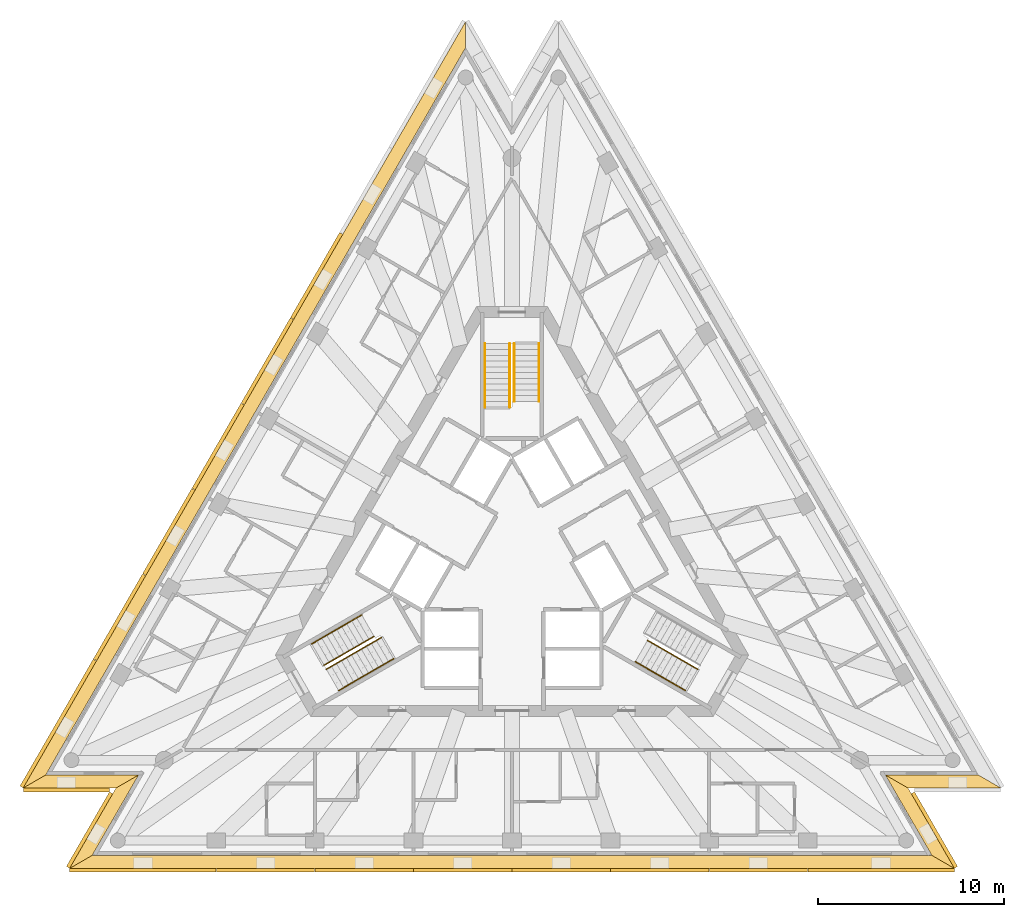
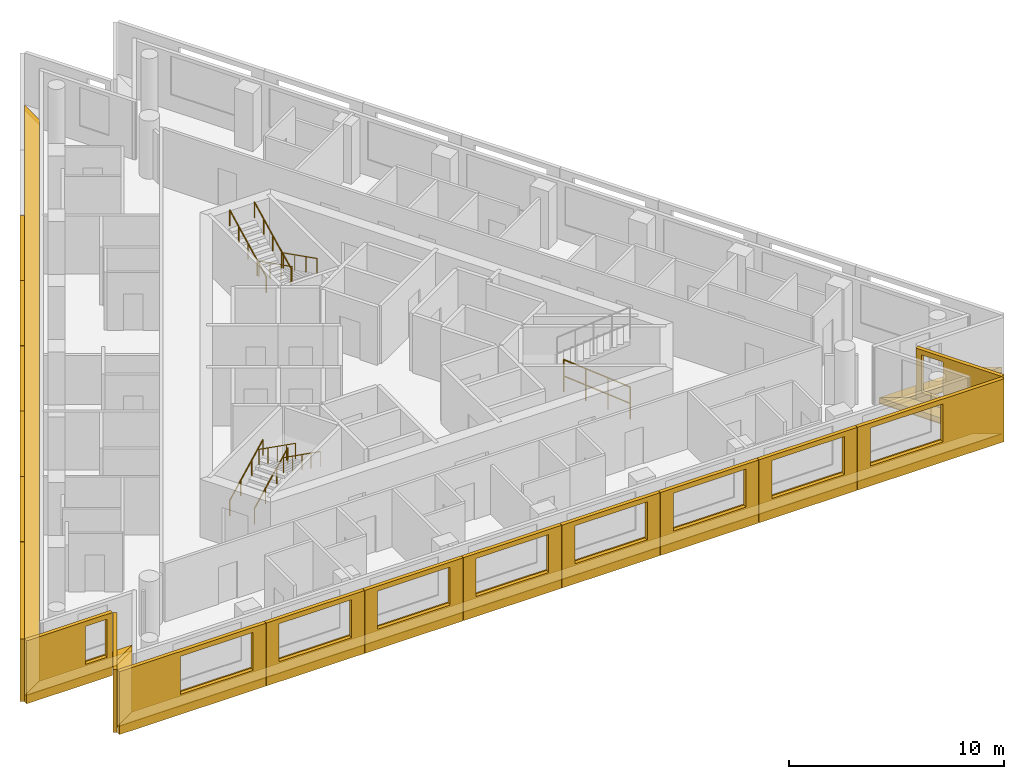
# One storey, part 10 of 11: 23 shading devices, 10 railings, 6 coverings, 3 elements without a shape of their own.
"""IFC4 building model written with IfcOpenShell, lengths in metres."""

import ifcopenshell
import ifcopenshell.guid

model = None  # the IFC model being written
_history = None  # IfcOwnerHistory: only IFC2X3 demands one
_inside = {}  # id of a spatial element -> (the spatial element, [elements in it])
_under = {}  # id of a project, library or spatial element -> (it, [spatial elements below it])
_declared = {}  # id of a project -> (the project, [libraries it declares])
_typed = {}  # id of a type object -> (the type object, [elements of that type])
_made_of = {}  # id of a material, layer set ... -> (it, [elements and type objects made of it])


def new_model(schema):
    """Start an empty IFC model of exactly this schema.

    Asked for "IFC4X3", IfcOpenShell would pick the latest addendum, in which some entities
    have other attributes; the version numbers below select the first issue.
    IFC2X3 requires an IfcOwnerHistory on every rooted entity: one is made here for all.
    """
    global model, _history
    if schema == "IFC4X3":
        model = ifcopenshell.file(schema_version=(4, 3, 0, 0))
    else:
        model = ifcopenshell.file(schema=schema)
    _inside.clear()
    _under.clear()
    _declared.clear()
    _typed.clear()
    _made_of.clear()
    _history = None
    if model.schema == "IFC2X3":
        org = make("IfcOrganization", Name="unknown")
        user = make(
            "IfcPersonAndOrganization",
            ThePerson=make("IfcPerson", FamilyName="unknown"),
            TheOrganization=org,
        )
        app = make(
            "IfcApplication",
            ApplicationDeveloper=org,
            Version="unknown",
            ApplicationFullName="unknown",
            ApplicationIdentifier="unknown",
        )
        _history = make(
            "IfcOwnerHistory",
            OwningUser=user,
            OwningApplication=app,
            ChangeAction="ADDED",
            CreationDate=0,
        )
    return model


def make(cls, **values):
    """One entity of the class cls with the attributes given. An attribute that is None is left unset."""
    return model.create_entity(
        cls, **{name: value for name, value in values.items() if value is not None}
    )


def rooted(cls, **values):
    """An entity with a GlobalId (a new one), such as an element, a storey or a relation."""
    return make(cls, GlobalId=ifcopenshell.guid.new(), OwnerHistory=_history, **values)


def si_unit(unit_type, name, prefix=None):
    """IfcSIUnit, for example si_unit("LENGTHUNIT", "METRE", prefix="MILLI")."""
    return make("IfcSIUnit", UnitType=unit_type, Prefix=prefix, Name=name)


def assignment(units):
    """IfcUnitAssignment: the units of a project."""
    return None if units is None else make("IfcUnitAssignment", Units=units)


def point(xyz):
    """IfcCartesianPoint."""
    return None if xyz is None else make("IfcCartesianPoint", Coordinates=xyz)


def direction(xyz):
    """IfcDirection."""
    return None if xyz is None else make("IfcDirection", DirectionRatios=xyz)


def frame(location, z_axis=None, x_axis=None):
    """IfcAxis2Placement3D, a coordinate frame: its origin and axes. An axis left out is left unset."""
    return make(
        "IfcAxis2Placement3D",
        Location=point(location),
        Axis=direction(z_axis),
        RefDirection=direction(x_axis),
    )


def frame_2d(location, x_axis=None):
    """IfcAxis2Placement2D, a coordinate frame in the plane: its origin and x axis."""
    return make(
        "IfcAxis2Placement2D", Location=point(location), RefDirection=direction(x_axis)
    )


def origin():
    """The frame at (0, 0, 0) with its axes left unset."""
    return frame((0.0, 0.0, 0.0))


def origin_2d():
    """The frame at (0, 0) in the plane with its x axis left unset."""
    return frame_2d((0.0, 0.0))


def place(relative_to, where):
    """IfcLocalPlacement: puts the frame where relative to a parent placement (None: the world)."""
    return make(
        "IfcLocalPlacement", PlacementRelTo=relative_to, RelativePlacement=where
    )


def context(
    kind, dimensions, precision=None, world=None, true_north=None, identifier=None
):
    """IfcGeometricRepresentationContext, for example the 3D "Model" context."""
    return make(
        "IfcGeometricRepresentationContext",
        ContextIdentifier=identifier,
        ContextType=kind,
        CoordinateSpaceDimension=dimensions,
        Precision=precision,
        WorldCoordinateSystem=world,
        TrueNorth=true_north,
    )


def subcontext(parent, identifier, kind, view, scale=None):
    """IfcGeometricRepresentationSubContext, for example "Body" below "Model"."""
    return make(
        "IfcGeometricRepresentationSubContext",
        ContextIdentifier=identifier,
        ContextType=kind,
        ParentContext=parent,
        TargetScale=scale,
        TargetView=view,
    )


def project(units=None, contexts=None):
    """IfcProject with its units and contexts."""
    return rooted(
        "IfcProject",
        Name="project",
        RepresentationContexts=contexts,
        UnitsInContext=assignment(units),
    )


def spatial(cls, under=None, at=None, **own):
    """A site, building, storey or space (cls), placed at a placement, below another one or the project."""
    s = rooted(cls, ObjectPlacement=at, **own)
    if under is not None:
        _under.setdefault(under.id(), (under, []))[1].append(s)
    return s


def polyline(points):
    """IfcPolyline through the points."""
    return make("IfcPolyline", Points=[point(p) for p in points])


def profile(cls, at=None, kind="AREA", **sizes):
    """A parametric profile (cls). Its sizes go by their IFC names, for example OverallWidth=200.0."""
    return make(cls, ProfileType=kind, Position=at, **sizes)


def circle(**sizes):
    """IfcCircleProfileDef."""
    return profile("IfcCircleProfileDef", **sizes)


def outline(outer, holes=None, kind="AREA"):
    """IfcArbitraryClosedProfileDef: a profile drawn as a closed curve; with holes, ...WithVoids."""
    if holes is None:
        return make("IfcArbitraryClosedProfileDef", ProfileType=kind, OuterCurve=outer)
    return make(
        "IfcArbitraryProfileDefWithVoids",
        ProfileType=kind,
        OuterCurve=outer,
        InnerCurves=holes,
    )


def extrude(swept, where, along, depth):
    """IfcExtrudedAreaSolid: the profile swept, set in the frame where, extruded along a direction by depth."""
    return make(
        "IfcExtrudedAreaSolid",
        SweptArea=swept,
        Position=where,
        ExtrudedDirection=direction(along),
        Depth=depth,
    )


def shape(context_of_items, identifier, shape_type, items):
    """IfcShapeRepresentation: the items that make up one representation, for example the "Body"."""
    return make(
        "IfcShapeRepresentation",
        ContextOfItems=context_of_items,
        RepresentationIdentifier=identifier,
        RepresentationType=shape_type,
        Items=items,
    )


def material(Name=None, Category=None):
    """IfcMaterial."""
    return make("IfcMaterial", Name=Name, Category=Category)


def layer(
    of_material, thickness, ventilated=None, Name=None, Category=None, Priority=None
):
    """IfcMaterialLayer: one layer of a wall or slab, of a material (None: an air gap)."""
    return make(
        "IfcMaterialLayer",
        Material=of_material,
        LayerThickness=thickness,
        IsVentilated=ventilated,
        Name=Name,
        Category=Category,
        Priority=Priority,
    )


def layer_set(layers, Name=None):
    """IfcMaterialLayerSet."""
    return make("IfcMaterialLayerSet", MaterialLayers=layers, LayerSetName=Name)


def layer_usage(for_layer_set, set_direction, sense, offset, extent=None):
    """IfcMaterialLayerSetUsage: how a layer set lies in its element."""
    return make(
        "IfcMaterialLayerSetUsage",
        ForLayerSet=for_layer_set,
        LayerSetDirection=set_direction,
        DirectionSense=sense,
        OffsetFromReferenceLine=offset,
        ReferenceExtent=extent,
    )


def made_of(thing, what):
    """Note that an element or type object is made of a material, layer set ...; save() writes the relation."""
    if what is not None:
        _made_of.setdefault(what.id(), (what, []))[1].append(thing)
    return thing


def type_object(cls, material=None, **own):
    """A type object (cls), such as IfcWallType, which elements share."""
    return made_of(rooted(cls, **own), material)


def element(
    cls,
    number,
    at=None,
    inside=None,
    cuts=None,
    type_object=None,
    material=None,
    context=None,
    identifier="Body",
    shape_type=None,
    held_by="IfcProductDefinitionShape",
    body=None,
    shapes=None,
    **own,
):
    """One element of the class cls, such as IfcWall. Its Tag is "e" and its number.

    at: its placement. inside: the storey or other place that contains it. cuts: it is an
    opening in that element (IfcRelVoidsElement). A single representation is given by context,
    identifier, shape_type and body (its items); several are given by shapes. held_by: the class
    of the entity that holds the representations. save() writes the other relations.
    """
    e = rooted(cls, Tag="e%d" % number, ObjectPlacement=at, **own)
    if body is not None:
        shapes = [shape(context, identifier, shape_type, body)]
    if shapes is not None:
        e.Representation = make(held_by, Representations=shapes)
    if inside is not None:
        _inside.setdefault(inside.id(), (inside, []))[1].append(e)
    if cuts is not None:
        rooted(
            "IfcRelVoidsElement", RelatingBuildingElement=cuts, RelatedOpeningElement=e
        )
    if type_object is not None:
        _typed.setdefault(type_object.id(), (type_object, []))[1].append(e)
    return made_of(e, material)


def aggregate(whole, parts):
    """IfcRelAggregates: a whole, such as a stair, and the parts it consists of."""
    return rooted("IfcRelAggregates", RelatingObject=whole, RelatedObjects=parts)


def save(model, path):
    """Write the relations noted so far, then the file.

    IfcRelAggregates (storeys below a building ...), IfcRelContainedInSpatialStructure (elements
    in a storey), IfcRelDefinesByType, IfcRelAssociatesMaterial and IfcRelDeclares: one each for
    every whole, place, type object, material and project.
    """
    for whole, parts in _under.values():
        aggregate(whole, parts)
    for where, things in _inside.values():
        rooted(
            "IfcRelContainedInSpatialStructure",
            RelatedElements=things,
            RelatingStructure=where,
        )
    for kind, things in _typed.values():
        rooted("IfcRelDefinesByType", RelatedObjects=things, RelatingType=kind)
    for what, things in _made_of.values():
        rooted("IfcRelAssociatesMaterial", RelatedObjects=things, RelatingMaterial=what)
    for by, libraries in _declared.values():
        rooted("IfcRelDeclares", RelatingContext=by, RelatedDefinitions=libraries)
    model.write(path)


model = new_model("IFC4")

# Units and contexts
model_context = context("Model", 3, precision=1e-05, world=origin(), true_north=direction((0.0, 1.0)))
body_context = subcontext(model_context, "Body", "Model", "MODEL_VIEW")
ifc_project = project(units=[si_unit("LENGTHUNIT", "METRE"), si_unit("AREAUNIT", "SQUARE_METRE"), si_unit("VOLUMEUNIT", "CUBIC_METRE"), si_unit("PLANEANGLEUNIT", "RADIAN"), si_unit("MASSUNIT", "GRAM", prefix="KILO")], contexts=[model_context])

# Site, building, storey
site_placement = place(None, origin())
site = spatial("IfcSite", under=ifc_project, at=site_placement, CompositionType="ELEMENT")
building_placement = place(site_placement, origin())
building = spatial("IfcBuilding", under=site, at=building_placement, Name="Triada Interchange Tower", CompositionType="ELEMENT")
storey_placement = place(building_placement, frame((0.0, 0.0, 307.89990234375)))
storey = spatial("IfcBuildingStorey", under=building, at=storey_placement, Name="L73", CompositionType="ELEMENT", Elevation=307.89990234375)

# Coverings
ifc_material_1 = material(Name="Mineral fire-stop board")
ifc_layer_1 = layer(ifc_material_1, 0.0400390625, Name="Mineral fire-stop board")
ifc_material_2 = material(Name="Intumescent sealant")
ifc_layer_2 = layer(ifc_material_2, 0.010009765625, Name="Intumescent seal")
ifc_layer_set_1 = layer_set([ifc_layer_1, ifc_layer_2], Name="Cavity fire stop")
ifc_layer_usage = layer_usage(ifc_layer_set_1, "AXIS3", "POSITIVE", 0.0)
covering_type = type_object("IfcCoveringType", Name="Cavity fire stop", PredefinedType="INSULATION", material=ifc_layer_set_1)
covering_1_placement = place(storey_placement, origin())
element("IfcCovering", 1, at=covering_1_placement, inside=storey, type_object=covering_type, material=ifc_layer_usage, Name="Cavity fire stop L73 NW", PredefinedType="INSULATION", context=body_context, shape_type="SweptSolid", body=[
    extrude(outline(polyline([(-2.498046875, 27.527099609375), (-2.498046875, 28.927001953125), (-26.300048828125, -12.300048828125), (-25.087890625, -11.60009765625), (-2.498046875, 27.527099609375)])), origin(), (0.0, 0.0, 1.0), 0.050048828125),
])
covering_2_placement = place(storey_placement, origin())
element("IfcCovering", 2, at=covering_2_placement, inside=storey, type_object=covering_type, material=ifc_layer_usage, Name="Cavity fire stop L73 SW-1", PredefinedType="INSULATION", context=body_context, shape_type="SweptSolid", body=[
    extrude(outline(polyline([(-25.087890625, -11.60009765625), (-26.300048828125, -12.300048828125), (-21.302978515625, -12.300048828125), (-20.091064453125, -11.60009765625), (-25.087890625, -11.60009765625)])), origin(), (0.0, 0.0, 1.0), 0.050048828125),
])
covering_3_placement = place(storey_placement, origin())
element("IfcCovering", 3, at=covering_3_placement, inside=storey, type_object=covering_type, material=ifc_layer_usage, Name="Cavity fire stop L73 SW-2", PredefinedType="INSULATION", context=body_context, shape_type="SweptSolid", body=[
    extrude(outline(polyline([(-20.091064453125, -11.60009765625), (-21.302978515625, -12.300048828125), (-23.802001953125, -16.626953125), (-22.590087890625, -15.927001953125), (-20.091064453125, -11.60009765625)])), origin(), (0.0, 0.0, 1.0), 0.050048828125),
])
covering_4_placement = place(storey_placement, origin())
element("IfcCovering", 4, at=covering_4_placement, inside=storey, type_object=covering_type, material=ifc_layer_usage, Name="Cavity fire stop L73 S", PredefinedType="INSULATION", context=body_context, shape_type="SweptSolid", body=[
    extrude(outline(polyline([(-22.590087890625, -15.927001953125), (-23.802001953125, -16.626953125), (23.802001953125, -16.626953125), (22.590087890625, -15.927001953125), (-22.590087890625, -15.927001953125)])), origin(), (0.0, 0.0, 1.0), 0.050048828125),
])
covering_5_placement = place(storey_placement, origin())
element("IfcCovering", 5, at=covering_5_placement, inside=storey, type_object=covering_type, material=ifc_layer_usage, Name="Cavity fire stop L73 SE-1", PredefinedType="INSULATION", context=body_context, shape_type="SweptSolid", body=[
    extrude(outline(polyline([(22.590087890625, -15.927001953125), (23.802001953125, -16.626953125), (21.302978515625, -12.300048828125), (20.091064453125, -11.60009765625), (22.590087890625, -15.927001953125)])), origin(), (0.0, 0.0, 1.0), 0.050048828125),
])
covering_6_placement = place(storey_placement, origin())
element("IfcCovering", 6, at=covering_6_placement, inside=storey, type_object=covering_type, material=ifc_layer_usage, Name="Cavity fire stop L73 SE-2", PredefinedType="INSULATION", context=body_context, shape_type="SweptSolid", body=[
    extrude(outline(polyline([(20.091064453125, -11.60009765625), (21.302978515625, -12.300048828125), (26.300048828125, -12.300048828125), (25.087890625, -11.60009765625), (20.091064453125, -11.60009765625)])), origin(), (0.0, 0.0, 1.0), 0.050048828125),
])

# Shading devices
ifc_material_3 = material(Name="Aluminium louvre", Category="aluminium")
shading_device_type_1 = type_object("IfcShadingDeviceType", Name="Cavity louvre grille", PredefinedType="JALOUSIE", material=ifc_material_3)
shading_device_1_placement = place(storey_placement, frame((0.0, 0.0, 0.050048828125)))
element("IfcShadingDevice", 7, at=shading_device_1_placement, inside=storey, type_object=shading_device_type_1, Name="Cavity louvre grille L73 NW", PredefinedType="JALOUSIE", context=body_context, shape_type="SweptSolid", body=[
    extrude(outline(polyline([(-2.498046875, 27.527099609375), (-2.498046875, 28.927001953125), (-26.300048828125, -12.300048828125), (-25.087890625, -11.60009765625), (-2.498046875, 27.527099609375)])), origin(), (0.0, 0.0, 1.0), 0.300048828125),
])
shading_device_2_placement = place(storey_placement, frame((0.0, 0.0, 0.050048828125)))
element("IfcShadingDevice", 8, at=shading_device_2_placement, inside=storey, type_object=shading_device_type_1, Name="Cavity louvre grille L73 SW-1", PredefinedType="JALOUSIE", context=body_context, shape_type="SweptSolid", body=[
    extrude(outline(polyline([(-25.087890625, -11.60009765625), (-26.300048828125, -12.300048828125), (-21.302978515625, -12.300048828125), (-20.091064453125, -11.60009765625), (-25.087890625, -11.60009765625)])), origin(), (0.0, 0.0, 1.0), 0.300048828125),
])
shading_device_3_placement = place(storey_placement, frame((0.0, 0.0, 0.050048828125)))
element("IfcShadingDevice", 9, at=shading_device_3_placement, inside=storey, type_object=shading_device_type_1, Name="Cavity louvre grille L73 SW-2", PredefinedType="JALOUSIE", context=body_context, shape_type="SweptSolid", body=[
    extrude(outline(polyline([(-20.091064453125, -11.60009765625), (-21.302978515625, -12.300048828125), (-23.802001953125, -16.626953125), (-22.590087890625, -15.927001953125), (-20.091064453125, -11.60009765625)])), origin(), (0.0, 0.0, 1.0), 0.300048828125),
])
shading_device_4_placement = place(storey_placement, frame((0.0, 0.0, 0.050048828125)))
element("IfcShadingDevice", 10, at=shading_device_4_placement, inside=storey, type_object=shading_device_type_1, Name="Cavity louvre grille L73 S", PredefinedType="JALOUSIE", context=body_context, shape_type="SweptSolid", body=[
    extrude(outline(polyline([(-22.590087890625, -15.927001953125), (-23.802001953125, -16.626953125), (23.802001953125, -16.626953125), (22.590087890625, -15.927001953125), (-22.590087890625, -15.927001953125)])), origin(), (0.0, 0.0, 1.0), 0.300048828125),
])
shading_device_5_placement = place(storey_placement, frame((0.0, 0.0, 0.050048828125)))
element("IfcShadingDevice", 11, at=shading_device_5_placement, inside=storey, type_object=shading_device_type_1, Name="Cavity louvre grille L73 SE-1", PredefinedType="JALOUSIE", context=body_context, shape_type="SweptSolid", body=[
    extrude(outline(polyline([(22.590087890625, -15.927001953125), (23.802001953125, -16.626953125), (21.302978515625, -12.300048828125), (20.091064453125, -11.60009765625), (22.590087890625, -15.927001953125)])), origin(), (0.0, 0.0, 1.0), 0.300048828125),
])
shading_device_6_placement = place(storey_placement, frame((0.0, 0.0, 0.050048828125)))
element("IfcShadingDevice", 12, at=shading_device_6_placement, inside=storey, type_object=shading_device_type_1, Name="Cavity louvre grille L73 SE-2", PredefinedType="JALOUSIE", context=body_context, shape_type="SweptSolid", body=[
    extrude(outline(polyline([(20.091064453125, -11.60009765625), (21.302978515625, -12.300048828125), (26.300048828125, -12.300048828125), (25.087890625, -11.60009765625), (20.091064453125, -11.60009765625)])), origin(), (0.0, 0.0, 1.0), 0.300048828125),
])
ifc_material_4 = material(Name="Concrete C50/60 precast", Category="concrete")
ifc_layer_3 = layer(ifc_material_4, 0.02001953125, Name="Exposed aggregate face")
ifc_layer_4 = layer(ifc_material_4, 0.179931640625, Name="Precast concrete screen")
ifc_layer_set_2 = layer_set([ifc_layer_3, ifc_layer_4], Name="Outer skin screen panel 3580")
shading_device_type_2 = type_object("IfcShadingDeviceType", Name="Outer skin screen panel 3580", PredefinedType="SHUTTER", material=ifc_layer_set_2)
shading_device_7_placement = place(storey_placement, frame((-9.10302734375, 17.487060546875, -0.289794921875), z_axis=(0.0, 0.0, 1.0), x_axis=(-0.500011881073, -0.866018544135, 0.0)))
element("IfcShadingDevice", 13, at=shading_device_7_placement, inside=storey, type_object=shading_device_type_2, Name="Outer skin screen panel L73 03", PredefinedType="SHUTTER", context=body_context, shape_type="SweptSolid", body=[
    extrude(outline(polyline([(0.0, 0.0), (5.281494140625, 0.0), (5.281494140625, 3.579833984375), (0.0, 3.579833984375), (0.0, 0.0)]), holes=[polyline([(0.6904296875, 1.139892578125), (0.6904296875, 3.300048828125), (4.59033203125, 3.300048828125), (4.59033203125, 1.139892578125), (0.6904296875, 1.139892578125)])]), frame((0.0, 0.0, 0.0), z_axis=(0.0, -1.0, 0.0), x_axis=(1.0, 0.0, 0.0)), (0.0, 0.0, 1.0), 0.199951171875),
])
shading_device_8_placement = place(storey_placement, frame((-11.75390625, 12.89599609375, -0.289794921875), z_axis=(0.0, 0.0, 1.0), x_axis=(-0.499907866474, -0.866078590566, 0.0)))
element("IfcShadingDevice", 14, at=shading_device_8_placement, inside=storey, type_object=shading_device_type_2, Name="Outer skin screen panel L73 04", PredefinedType="SHUTTER", context=body_context, shape_type="SweptSolid", body=[
    extrude(outline(polyline([(0.0, 0.0), (5.28125, 0.0), (5.28125, 3.579833984375), (0.0, 3.579833984375), (0.0, 0.0)]), holes=[polyline([(0.690185546875, 1.139892578125), (0.690185546875, 3.300048828125), (4.59033203125, 3.300048828125), (4.59033203125, 1.139892578125), (0.690185546875, 1.139892578125)])]), frame((0.0, 0.0, 0.0), z_axis=(0.0, -1.0, 0.0), x_axis=(1.0, 0.0, 0.0)), (0.0, 0.0, 1.0), 0.199951171875),
])
shading_device_9_placement = place(storey_placement, frame((-14.404052734375, 8.304931640625, -0.289794921875), z_axis=(0.0, 0.0, 1.0), x_axis=(-0.500011881073, -0.866018544135, 0.0)))
element("IfcShadingDevice", 15, at=shading_device_9_placement, inside=storey, type_object=shading_device_type_2, Name="Outer skin screen panel L73 05", PredefinedType="SHUTTER", context=body_context, shape_type="SweptSolid", body=[
    extrude(outline(polyline([(0.0, 0.0), (5.281494140625, 0.0), (5.281494140625, 3.579833984375), (0.0, 3.579833984375), (0.0, 0.0)]), holes=[polyline([(0.690185546875, 1.139892578125), (0.690185546875, 3.300048828125), (4.59033203125, 3.300048828125), (4.59033203125, 1.139892578125), (0.690185546875, 1.139892578125)])]), frame((0.0, 0.0, 0.0), z_axis=(0.0, -1.0, 0.0), x_axis=(1.0, 0.0, 0.0)), (0.0, 0.0, 1.0), 0.199951171875),
])
shading_device_10_placement = place(storey_placement, frame((-17.054931640625, 3.714111328125, -0.289794921875), z_axis=(0.0, 0.0, 1.0), x_axis=(-0.499887852359, -0.866090142574, 0.0)))
element("IfcShadingDevice", 16, at=shading_device_10_placement, inside=storey, type_object=shading_device_type_2, Name="Outer skin screen panel L73 06", PredefinedType="SHUTTER", context=body_context, shape_type="SweptSolid", body=[
    extrude(outline(polyline([(0.0, 0.0), (5.281494140625, 0.0), (5.281494140625, 3.579833984375), (0.0, 3.579833984375), (0.0, 0.0)]), holes=[polyline([(0.690185546875, 1.139892578125), (0.690185546875, 3.300048828125), (4.590087890625, 3.300048828125), (4.590087890625, 1.139892578125), (0.690185546875, 1.139892578125)])]), frame((0.0, 0.0, 0.0), z_axis=(0.0, -1.0, 0.0), x_axis=(1.0, 0.0, 0.0)), (0.0, 0.0, 1.0), 0.199951171875),
])
shading_device_11_placement = place(storey_placement, frame((-19.705078125, -0.876953125, -0.289794921875), z_axis=(0.0, 0.0, 1.0), x_axis=(-0.500091956443, -0.865972306197, 0.0)))
element("IfcShadingDevice", 17, at=shading_device_11_placement, inside=storey, type_object=shading_device_type_2, Name="Outer skin screen panel L73 07", PredefinedType="SHUTTER", context=body_context, shape_type="SweptSolid", body=[
    extrude(outline(polyline([(0.0, 0.0), (5.28076171875, 0.0), (5.28076171875, 3.579833984375), (0.0, 3.579833984375), (0.0, 0.0)]), holes=[polyline([(0.690185546875, 1.139892578125), (0.690185546875, 3.300048828125), (4.590087890625, 3.300048828125), (4.590087890625, 1.139892578125), (0.690185546875, 1.139892578125)])]), frame((0.0, 0.0, 0.0), z_axis=(0.0, -1.0, 0.0), x_axis=(1.0, 0.0, 0.0)), (0.0, 0.0, 1.0), 0.199951171875),
])
shading_device_12_placement = place(storey_placement, frame((-22.35595703125, -5.468017578125, -0.289794921875), z_axis=(0.0, 0.0, 1.0), x_axis=(-0.499971924588, -0.866041612524, 0.0)))
element("IfcShadingDevice", 18, at=shading_device_12_placement, inside=storey, type_object=shading_device_type_2, Name="Outer skin screen panel L73 08", PredefinedType="SHUTTER", context=body_context, shape_type="SweptSolid", body=[
    extrude(outline(polyline([(0.0, 0.0), (7.87841796875, 0.0), (7.87841796875, 3.579833984375), (0.0, 3.579833984375), (0.0, 0.0)]), holes=[polyline([(0.690185546875, 1.139892578125), (0.690185546875, 3.300048828125), (4.590087890625, 3.300048828125), (4.590087890625, 1.139892578125), (0.690185546875, 1.139892578125)])]), frame((0.0, 0.0, 0.0), z_axis=(0.0, -1.0, 0.0), x_axis=(1.0, 0.0, 0.0)), (0.0, 0.0, 1.0), 0.199951171875),
])
shading_device_13_placement = place(storey_placement, frame((-26.2900390625, -12.300048828125, -0.289794921875), z_axis=(0.0, 0.0, 1.0), x_axis=(1.0, 0.0, 0.0)))
element("IfcShadingDevice", 19, at=shading_device_13_placement, inside=storey, type_object=shading_device_type_2, Name="Outer skin screen panel L73 09", PredefinedType="SHUTTER", context=body_context, shape_type="SweptSolid", body=[
    extrude(outline(polyline([(0.0, 0.0), (4.630126953125, 0.0), (4.630126953125, 3.579833984375), (0.0, 3.579833984375), (0.0, 0.0)]), holes=[polyline([(3.175048828125, 1.139892578125), (3.175048828125, 3.300048828125), (4.330078125, 3.300048828125), (4.330078125, 1.139892578125), (3.175048828125, 1.139892578125)])]), frame((0.0, 0.0, 0.0), z_axis=(0.0, -1.0, 0.0), x_axis=(1.0, 0.0, 0.0)), (0.0, 0.0, 1.0), 0.199951171875),
])
shading_device_14_placement = place(storey_placement, frame((-21.48193359375, -12.60888671875, -0.289794921875), z_axis=(0.0, 0.0, 1.0), x_axis=(-0.500092201355, -0.865972164763, 0.0)))
element("IfcShadingDevice", 20, at=shading_device_14_placement, inside=storey, type_object=shading_device_type_2, Name="Outer skin screen panel L73 10", PredefinedType="SHUTTER", context=body_context, shape_type="SweptSolid", body=[
    extrude(outline(polyline([(0.0, 0.0), (4.629638671875, 0.0), (4.629638671875, 3.579833984375), (0.0, 3.579833984375), (0.0, 0.0)]), holes=[polyline([(0.300048828125, 1.139892578125), (0.300048828125, 3.300048828125), (1.2578125, 3.300048828125), (1.2578125, 1.139892578125), (0.300048828125, 1.139892578125)])]), frame((0.0, 0.0, 0.0), z_axis=(0.0, -1.0, 0.0), x_axis=(1.0, 0.0, 0.0)), (0.0, 0.0, 1.0), 0.199951171875),
])
shading_device_15_placement = place(storey_placement, frame((-23.7919921875, -16.626953125, -0.289794921875), z_axis=(0.0, 0.0, 1.0), x_axis=(1.0, 0.0, 0.0)))
element("IfcShadingDevice", 21, at=shading_device_15_placement, inside=storey, type_object=shading_device_type_2, Name="Outer skin screen panel L73 11", PredefinedType="SHUTTER", context=body_context, shape_type="SweptSolid", body=[
    extrude(outline(polyline([(0.0, 0.0), (7.87890625, 0.0), (7.87890625, 3.579833984375), (0.0, 3.579833984375), (0.0, 0.0)]), holes=[polyline([(3.2890625, 1.139892578125), (3.2890625, 3.300048828125), (7.18896484375, 3.300048828125), (7.18896484375, 1.139892578125), (3.2890625, 1.139892578125)])]), frame((0.0, 0.0, 0.0), z_axis=(0.0, -1.0, 0.0), x_axis=(1.0, 0.0, 0.0)), (0.0, 0.0, 1.0), 0.199951171875),
])
for number, where, z_axis, x_axis, name in (
    (22, (-15.89306640625, -16.626953125, -0.289794921875), (0.0, 0.0, 1.0), (1.0, 0.0, 0.0), "Outer skin screen panel L73 12"),
    (23, (-10.592041015625, -16.626953125, -0.289794921875), (0.0, 0.0, 1.0), (1.0, 0.0, 0.0), "Outer skin screen panel L73 13"),
):
    element("IfcShadingDevice", number, at=place(storey_placement, frame(where, z_axis=z_axis, x_axis=x_axis)), inside=storey, type_object=shading_device_type_2, Name=name, PredefinedType="SHUTTER", context=body_context, shape_type="SweptSolid", body=[
        extrude(outline(polyline([(0.0, 0.0), (5.281005859375, 0.0), (5.281005859375, 3.579833984375), (0.0, 3.579833984375), (0.0, 0.0)]), holes=[polyline([(0.69091796875, 1.139892578125), (0.69091796875, 3.300048828125), (4.591064453125, 3.300048828125), (4.591064453125, 1.139892578125), (0.69091796875, 1.139892578125)])]), frame((0.0, 0.0, 0.0), z_axis=(0.0, -1.0, 0.0), x_axis=(1.0, 0.0, 0.0)), (0.0, 0.0, 1.0), 0.199951171875),
    ])
shading_device_16_placement = place(storey_placement, frame((-5.291015625, -16.626953125, -0.289794921875), z_axis=(0.0, 0.0, 1.0), x_axis=(1.0, 0.0, 0.0)))
element("IfcShadingDevice", 24, at=shading_device_16_placement, inside=storey, type_object=shading_device_type_2, Name="Outer skin screen panel L73 14", PredefinedType="SHUTTER", context=body_context, shape_type="SweptSolid", body=[
    extrude(outline(polyline([(0.0, 0.0), (5.281005859375, 0.0), (5.281005859375, 3.579833984375), (0.0, 3.579833984375), (0.0, 0.0)]), holes=[polyline([(0.68994140625, 1.139892578125), (0.68994140625, 3.300048828125), (4.590087890625, 3.300048828125), (4.590087890625, 1.139892578125), (0.68994140625, 1.139892578125)])]), frame((0.0, 0.0, 0.0), z_axis=(0.0, -1.0, 0.0), x_axis=(1.0, 0.0, 0.0)), (0.0, 0.0, 1.0), 0.199951171875),
])
shading_device_17_placement = place(storey_placement, frame((0.010009765625, -16.626953125, -0.289794921875), z_axis=(0.0, 0.0, 1.0), x_axis=(1.0, 0.0, 0.0)))
element("IfcShadingDevice", 25, at=shading_device_17_placement, inside=storey, type_object=shading_device_type_2, Name="Outer skin screen panel L73 15", PredefinedType="SHUTTER", context=body_context, shape_type="SweptSolid", body=[
    extrude(outline(polyline([(0.0, 0.0), (5.281005859375, 0.0), (5.281005859375, 3.579833984375), (0.0, 3.579833984375), (0.0, 0.0)]), holes=[polyline([(0.69091796875, 1.139892578125), (0.69091796875, 3.300048828125), (4.591064453125, 3.300048828125), (4.591064453125, 1.139892578125), (0.69091796875, 1.139892578125)])]), frame((0.0, 0.0, 0.0), z_axis=(0.0, -1.0, 0.0), x_axis=(1.0, 0.0, 0.0)), (0.0, 0.0, 1.0), 0.199951171875),
])
shading_device_18_placement = place(storey_placement, frame((5.31103515625, -16.626953125, -0.289794921875), z_axis=(0.0, 0.0, 1.0), x_axis=(1.0, 0.0, 0.0)))
element("IfcShadingDevice", 26, at=shading_device_18_placement, inside=storey, type_object=shading_device_type_2, Name="Outer skin screen panel L73 16", PredefinedType="SHUTTER", context=body_context, shape_type="SweptSolid", body=[
    extrude(outline(polyline([(0.0, 0.0), (5.281005859375, 0.0), (5.281005859375, 3.579833984375), (0.0, 3.579833984375), (0.0, 0.0)]), holes=[polyline([(0.68994140625, 1.139892578125), (0.68994140625, 3.300048828125), (4.590087890625, 3.300048828125), (4.590087890625, 1.139892578125), (0.68994140625, 1.139892578125)])]), frame((0.0, 0.0, 0.0), z_axis=(0.0, -1.0, 0.0), x_axis=(1.0, 0.0, 0.0)), (0.0, 0.0, 1.0), 0.199951171875),
])
shading_device_19_placement = place(storey_placement, frame((10.612060546875, -16.626953125, -0.289794921875), z_axis=(0.0, 0.0, 1.0), x_axis=(1.0, 0.0, 0.0)))
element("IfcShadingDevice", 27, at=shading_device_19_placement, inside=storey, type_object=shading_device_type_2, Name="Outer skin screen panel L73 17", PredefinedType="SHUTTER", context=body_context, shape_type="SweptSolid", body=[
    extrude(outline(polyline([(0.0, 0.0), (5.281005859375, 0.0), (5.281005859375, 3.579833984375), (0.0, 3.579833984375), (0.0, 0.0)]), holes=[polyline([(0.69091796875, 1.139892578125), (0.69091796875, 3.300048828125), (4.591064453125, 3.300048828125), (4.591064453125, 1.139892578125), (0.69091796875, 1.139892578125)])]), frame((0.0, 0.0, 0.0), z_axis=(0.0, -1.0, 0.0), x_axis=(1.0, 0.0, 0.0)), (0.0, 0.0, 1.0), 0.199951171875),
])
shading_device_20_placement = place(storey_placement, frame((15.9130859375, -16.626953125, -0.289794921875), z_axis=(0.0, 0.0, 1.0), x_axis=(1.0, 0.0, 0.0)))
element("IfcShadingDevice", 28, at=shading_device_20_placement, inside=storey, type_object=shading_device_type_2, Name="Outer skin screen panel L73 18", PredefinedType="SHUTTER", context=body_context, shape_type="SweptSolid", body=[
    extrude(outline(polyline([(0.0, 0.0), (7.87890625, 0.0), (7.87890625, 3.579833984375), (0.0, 3.579833984375), (0.0, 0.0)]), holes=[polyline([(0.68994140625, 1.139892578125), (0.68994140625, 3.300048828125), (4.590087890625, 3.300048828125), (4.590087890625, 1.139892578125), (0.68994140625, 1.139892578125)])]), frame((0.0, 0.0, 0.0), z_axis=(0.0, -1.0, 0.0), x_axis=(1.0, 0.0, 0.0)), (0.0, 0.0, 1.0), 0.199951171875),
])
shading_device_21_placement = place(storey_placement, frame((23.797119140625, -16.617919921875, -0.289794921875), z_axis=(0.0, 0.0, 1.0), x_axis=(-0.500092201355, 0.865972164763, 0.0)))
element("IfcShadingDevice", 29, at=shading_device_21_placement, inside=storey, type_object=shading_device_type_2, Name="Outer skin screen panel L73 19", PredefinedType="SHUTTER", context=body_context, shape_type="SweptSolid", body=[
    extrude(outline(polyline([(0.0, 0.0), (4.629638671875, 0.0), (4.629638671875, 3.579833984375), (0.0, 3.579833984375), (0.0, 0.0)]), holes=[polyline([(3.17529296875, 1.139892578125), (3.17529296875, 3.300048828125), (4.330078125, 3.300048828125), (4.330078125, 1.139892578125), (3.17529296875, 1.139892578125)])]), frame((0.0, 0.0, 0.0), z_axis=(0.0, -1.0, 0.0), x_axis=(1.0, 0.0, 0.0)), (0.0, 0.0, 1.0), 0.199951171875),
])

# Stair, railings
ifc_material_5 = material(Name="Concrete C35/45", Category="concrete")
stair_type = type_object("IfcStairType", Name="HALF TURN STAIR 1400", PredefinedType="HALF_TURN_STAIR", material=ifc_material_5)
stair_1_placement = place(storey_placement, origin())
stair_1 = element("IfcStair", 30, at=stair_1_placement, inside=storey, type_object=stair_type, Name="Exit stair S71-1", PredefinedType="HALF_TURN_STAIR")
ifc_material_6 = material(Name="Stainless steel 1.4301", Category="steel")
railing_type = type_object("IfcRailingType", Name="STAIR HANDRAIL 900", PredefinedType="HANDRAIL", material=ifc_material_6)
railing_1_placement = place(storey_placement, frame((1.449951171875, 11.60009765625, 0.156494140625)))
railing_1 = element("IfcRailing", 31, at=railing_1_placement, type_object=railing_type, Name="Handrail S71-1 1W", PredefinedType="HANDRAIL", context=body_context, shape_type="SweptSolid", body=[
    extrude(circle(Radius=0.02392578125, at=origin_2d()), frame((0.0, 0.0, 0.8759765625), z_axis=(0.0, -0.89267693942, 0.450697106522), x_axis=(1.0, 0.0, 0.0)), (0.0, 0.0, 1.0), 3.472900390625),
    extrude(circle(Radius=0.02099609375, at=origin_2d()), origin(), (0.0, 0.0, 1.0), 0.851806640625),
    extrude(circle(Radius=0.02099609375, at=origin_2d()), frame((0.0, -1.033447265625, 0.521728515625)), (0.0, 0.0, 1.0), 0.851806640625),
    extrude(circle(Radius=0.02099609375, at=origin_2d()), frame((0.0, -2.066650390625, 1.04345703125)), (0.0, 0.0, 1.0), 0.851806640625),
    extrude(circle(Radius=0.02099609375, at=origin_2d()), frame((0.0, -3.10009765625, 1.565185546875)), (0.0, 0.0, 1.0), 0.851806640625),
])
railing_2_placement = place(storey_placement, frame((0.1201171875, 11.60009765625, 0.156494140625)))
railing_2 = element("IfcRailing", 32, at=railing_2_placement, type_object=railing_type, Name="Handrail S71-1 1C", PredefinedType="HANDRAIL", context=body_context, shape_type="SweptSolid", body=[
    extrude(circle(Radius=0.02392578125, at=origin_2d()), frame((0.0, 0.0, 0.8759765625), z_axis=(0.0, -0.89267693942, 0.450697106522), x_axis=(1.0, 0.0, 0.0)), (0.0, 0.0, 1.0), 3.472900390625),
    extrude(circle(Radius=0.02099609375, at=origin_2d()), origin(), (0.0, 0.0, 1.0), 0.851806640625),
    extrude(circle(Radius=0.02099609375, at=origin_2d()), frame((0.0, -1.033447265625, 0.521728515625)), (0.0, 0.0, 1.0), 0.851806640625),
    extrude(circle(Radius=0.02099609375, at=origin_2d()), frame((0.0, -2.066650390625, 1.04345703125)), (0.0, 0.0, 1.0), 0.851806640625),
    extrude(circle(Radius=0.02099609375, at=origin_2d()), frame((0.0, -3.10009765625, 1.565185546875)), (0.0, 0.0, 1.0), 0.851806640625),
])
railing_3_placement = place(storey_placement, frame((-1.449951171875, 8.18994140625, 1.87841796875)))
railing_3 = element("IfcRailing", 33, at=railing_3_placement, type_object=railing_type, Name="Handrail S71-1 2W", PredefinedType="HANDRAIL", context=body_context, shape_type="SweptSolid", body=[
    extrude(circle(Radius=0.02392578125, at=origin_2d()), frame((0.0, 0.0, 0.8759765625), z_axis=(0.0, 0.892682106939, 0.450686871287), x_axis=(-1.0, 0.0, 0.0)), (0.0, 0.0, 1.0), 3.820068359375),
    extrude(circle(Radius=0.02099609375, at=origin_2d()), origin(), (0.0, 0.0, 1.0), 0.851806640625),
    extrude(circle(Radius=0.02099609375, at=origin_2d()), frame((0.0, 0.8525390625, 0.430419921875)), (0.0, 0.0, 1.0), 0.851806640625),
    extrude(circle(Radius=0.02099609375, at=origin_2d()), frame((0.0, 1.705078125, 0.86083984375)), (0.0, 0.0, 1.0), 0.851806640625),
    extrude(circle(Radius=0.02099609375, at=origin_2d()), frame((0.0, 2.5576171875, 1.291259765625)), (0.0, 0.0, 1.0), 0.851806640625),
    extrude(circle(Radius=0.02099609375, at=origin_2d()), frame((0.0, 3.41015625, 1.7216796875)), (0.0, 0.0, 1.0), 0.851806640625),
])
railing_4_placement = place(storey_placement, frame((-0.1201171875, 8.18994140625, 1.87841796875)))
railing_4 = element("IfcRailing", 34, at=railing_4_placement, type_object=railing_type, Name="Handrail S71-1 2C", PredefinedType="HANDRAIL", context=body_context, shape_type="SweptSolid", body=[
    extrude(circle(Radius=0.02392578125, at=origin_2d()), frame((0.0, 0.0, 0.8759765625), z_axis=(0.0, 0.892682106939, 0.450686871287), x_axis=(-1.0, 0.0, 0.0)), (0.0, 0.0, 1.0), 3.820068359375),
    extrude(circle(Radius=0.02099609375, at=origin_2d()), origin(), (0.0, 0.0, 1.0), 0.851806640625),
    extrude(circle(Radius=0.02099609375, at=origin_2d()), frame((0.0, 0.8525390625, 0.430419921875)), (0.0, 0.0, 1.0), 0.851806640625),
    extrude(circle(Radius=0.02099609375, at=origin_2d()), frame((0.0, 1.705078125, 0.86083984375)), (0.0, 0.0, 1.0), 0.851806640625),
    extrude(circle(Radius=0.02099609375, at=origin_2d()), frame((0.0, 2.5576171875, 1.291259765625)), (0.0, 0.0, 1.0), 0.851806640625),
    extrude(circle(Radius=0.02099609375, at=origin_2d()), frame((0.0, 3.41015625, 1.7216796875)), (0.0, 0.0, 1.0), 0.851806640625),
])
aggregate(stair_1, [railing_1, railing_2, railing_3, railing_4])

stair_2_placement = place(storey_placement, origin())
stair_2 = element("IfcStair", 35, at=stair_2_placement, inside=storey, type_object=stair_type, Name="Exit stair S71-2", PredefinedType="HALF_TURN_STAIR")
railing_5_placement = place(storey_placement, frame((-10.77099609375, -4.5439453125, 0.156494140625)))
railing_5 = element("IfcRailing", 36, at=railing_5_placement, type_object=railing_type, Name="Handrail S71-2 1W", PredefinedType="HANDRAIL", context=body_context, shape_type="SweptSolid", body=[
    extrude(circle(Radius=0.02392578125, at=origin_2d()), frame((0.0, 0.0, 0.8759765625), z_axis=(0.773115112249, 0.446309133267, 0.4506674836), x_axis=(-0.499958760481, 0.866049212123, 0.0)), (0.0, 0.0, 1.0), 3.47314453125),
    extrude(circle(Radius=0.02099609375, at=origin_2d()), origin(), (0.0, 0.0, 1.0), 0.851806640625),
    extrude(circle(Radius=0.02099609375, at=origin_2d()), frame((0.89501953125, 0.5166015625, 0.521728515625)), (0.0, 0.0, 1.0), 0.851806640625),
    extrude(circle(Radius=0.02099609375, at=origin_2d()), frame((1.7900390625, 1.033447265625, 1.04345703125)), (0.0, 0.0, 1.0), 0.851806640625),
    extrude(circle(Radius=0.02099609375, at=origin_2d()), frame((2.68505859375, 1.550048828125, 1.565185546875)), (0.0, 0.0, 1.0), 0.851806640625),
])
railing_6_placement = place(storey_placement, frame((-10.10595703125, -5.696044921875, 0.156494140625)))
railing_6 = element("IfcRailing", 37, at=railing_6_placement, type_object=railing_type, Name="Handrail S71-2 1C", PredefinedType="HANDRAIL", context=body_context, shape_type="SweptSolid", body=[
    extrude(circle(Radius=0.02392578125, at=origin_2d()), frame((0.0, 0.0, 0.8759765625), z_axis=(0.773115112249, 0.446309133267, 0.4506674836), x_axis=(-0.499958760481, 0.866049212123, 0.0)), (0.0, 0.0, 1.0), 3.47314453125),
    extrude(circle(Radius=0.02099609375, at=origin_2d()), origin(), (0.0, 0.0, 1.0), 0.851806640625),
    extrude(circle(Radius=0.02099609375, at=origin_2d()), frame((0.89501953125, 0.5166015625, 0.521728515625)), (0.0, 0.0, 1.0), 0.851806640625),
    extrude(circle(Radius=0.02099609375, at=origin_2d()), frame((1.7900390625, 1.033447265625, 1.04345703125)), (0.0, 0.0, 1.0), 0.851806640625),
    extrude(circle(Radius=0.02099609375, at=origin_2d()), frame((2.68505859375, 1.550048828125, 1.565185546875)), (0.0, 0.0, 1.0), 0.851806640625),
])
railing_7_placement = place(storey_placement, frame((-6.367919921875, -5.35107421875, 1.87841796875)))
railing_7 = element("IfcRailing", 38, at=railing_7_placement, type_object=railing_type, Name="Handrail S71-2 2W", PredefinedType="HANDRAIL", context=body_context, shape_type="SweptSolid", body=[
    extrude(circle(Radius=0.02392578125, at=origin_2d()), frame((0.0, 0.0, 0.8759765625), z_axis=(-0.773090904651, -0.446304049866, 0.450714042625), x_axis=(0.499966231165, -0.866044899352, 0.0)), (0.0, 0.0, 1.0), 3.81982421875),
    extrude(circle(Radius=0.02099609375, at=origin_2d()), origin(), (0.0, 0.0, 1.0), 0.851806640625),
    extrude(circle(Radius=0.02099609375, at=origin_2d()), frame((-0.73828125, -0.42626953125, 0.430419921875)), (0.0, 0.0, 1.0), 0.851806640625),
    extrude(circle(Radius=0.02099609375, at=origin_2d()), frame((-1.4765625, -0.8525390625, 0.86083984375)), (0.0, 0.0, 1.0), 0.851806640625),
    extrude(circle(Radius=0.02099609375, at=origin_2d()), frame((-2.21484375, -1.278564453125, 1.291259765625)), (0.0, 0.0, 1.0), 0.851806640625),
    extrude(circle(Radius=0.02099609375, at=origin_2d()), frame((-2.953125, -1.704833984375, 1.7216796875)), (0.0, 0.0, 1.0), 0.851806640625),
])
railing_8_placement = place(storey_placement, frame((-7.032958984375, -4.198974609375, 1.87841796875)))
railing_8 = element("IfcRailing", 39, at=railing_8_placement, type_object=railing_type, Name="Handrail S71-2 2C", PredefinedType="HANDRAIL", context=body_context, shape_type="SweptSolid", body=[
    extrude(circle(Radius=0.02392578125, at=origin_2d()), frame((0.0, 0.0, 0.8759765625), z_axis=(-0.773068851904, -0.446355229968, 0.450701185816), x_axis=(0.50001992892, -0.866013897511, 0.0)), (0.0, 0.0, 1.0), 3.820068359375),
    extrude(circle(Radius=0.02099609375, at=origin_2d()), origin(), (0.0, 0.0, 1.0), 0.851806640625),
    extrude(circle(Radius=0.02099609375, at=origin_2d()), frame((-0.73828125, -0.42626953125, 0.430419921875)), (0.0, 0.0, 1.0), 0.851806640625),
    extrude(circle(Radius=0.02099609375, at=origin_2d()), frame((-1.4765625, -0.8525390625, 0.86083984375)), (0.0, 0.0, 1.0), 0.851806640625),
    extrude(circle(Radius=0.02099609375, at=origin_2d()), frame((-2.21484375, -1.27880859375, 1.291259765625)), (0.0, 0.0, 1.0), 0.851806640625),
    extrude(circle(Radius=0.02099609375, at=origin_2d()), frame((-2.953125, -1.705078125, 1.7216796875)), (0.0, 0.0, 1.0), 0.851806640625),
])
aggregate(stair_2, [railing_5, railing_6, railing_7, railing_8])

stair_3_placement = place(storey_placement, origin())
stair_3 = element("IfcStair", 40, at=stair_3_placement, inside=storey, type_object=stair_type, Name="Exit stair S71-3", PredefinedType="HALF_TURN_STAIR")
railing_9_placement = place(storey_placement, frame((9.321044921875, -7.055908203125, 0.156494140625)))
railing_9 = element("IfcRailing", 41, at=railing_9_placement, type_object=railing_type, Name="Handrail S71-3 1W", PredefinedType="HANDRAIL", context=body_context, shape_type="SweptSolid", body=[
    extrude(circle(Radius=0.02392578125, at=origin_2d()), frame((0.0, 0.0, 0.8759765625), z_axis=(-0.773139366989, 0.446252837029, 0.450681622274), x_axis=(-0.499899694197, -0.866083307622, 0.0)), (0.0, 0.0, 1.0), 3.472900390625),
    extrude(circle(Radius=0.02099609375, at=origin_2d()), origin(), (0.0, 0.0, 1.0), 0.851806640625),
    extrude(circle(Radius=0.02099609375, at=origin_2d()), frame((-0.89501953125, 0.5166015625, 0.521728515625)), (0.0, 0.0, 1.0), 0.851806640625),
    extrude(circle(Radius=0.02099609375, at=origin_2d()), frame((-1.7900390625, 1.033203125, 1.04345703125)), (0.0, 0.0, 1.0), 0.851806640625),
    extrude(circle(Radius=0.02099609375, at=origin_2d()), frame((-2.68505859375, 1.5498046875, 1.565185546875)), (0.0, 0.0, 1.0), 0.851806640625),
])
railing_10_placement = place(storey_placement, frame((9.986083984375, -5.904052734375, 0.156494140625)))
railing_10 = element("IfcRailing", 42, at=railing_10_placement, type_object=railing_type, Name="Handrail S71-3 1C", PredefinedType="HANDRAIL", context=body_context, shape_type="SweptSolid", body=[
    extrude(circle(Radius=0.02392578125, at=origin_2d()), frame((0.0, 0.0, 0.8759765625), z_axis=(-0.773115112249, 0.446309133267, 0.4506674836), x_axis=(-0.499958760481, -0.866049212123, 0.0)), (0.0, 0.0, 1.0), 3.47314453125),
    extrude(circle(Radius=0.02099609375, at=origin_2d()), origin(), (0.0, 0.0, 1.0), 0.851806640625),
    extrude(circle(Radius=0.02099609375, at=origin_2d()), frame((-0.89501953125, 0.5166015625, 0.521728515625)), (0.0, 0.0, 1.0), 0.851806640625),
    extrude(circle(Radius=0.02099609375, at=origin_2d()), frame((-1.7900390625, 1.033447265625, 1.04345703125)), (0.0, 0.0, 1.0), 0.851806640625),
    extrude(circle(Radius=0.02099609375, at=origin_2d()), frame((-2.68505859375, 1.550048828125, 1.565185546875)), (0.0, 0.0, 1.0), 0.851806640625),
])
aggregate(stair_3, [railing_9, railing_10])

save(model, "model.ifc")
